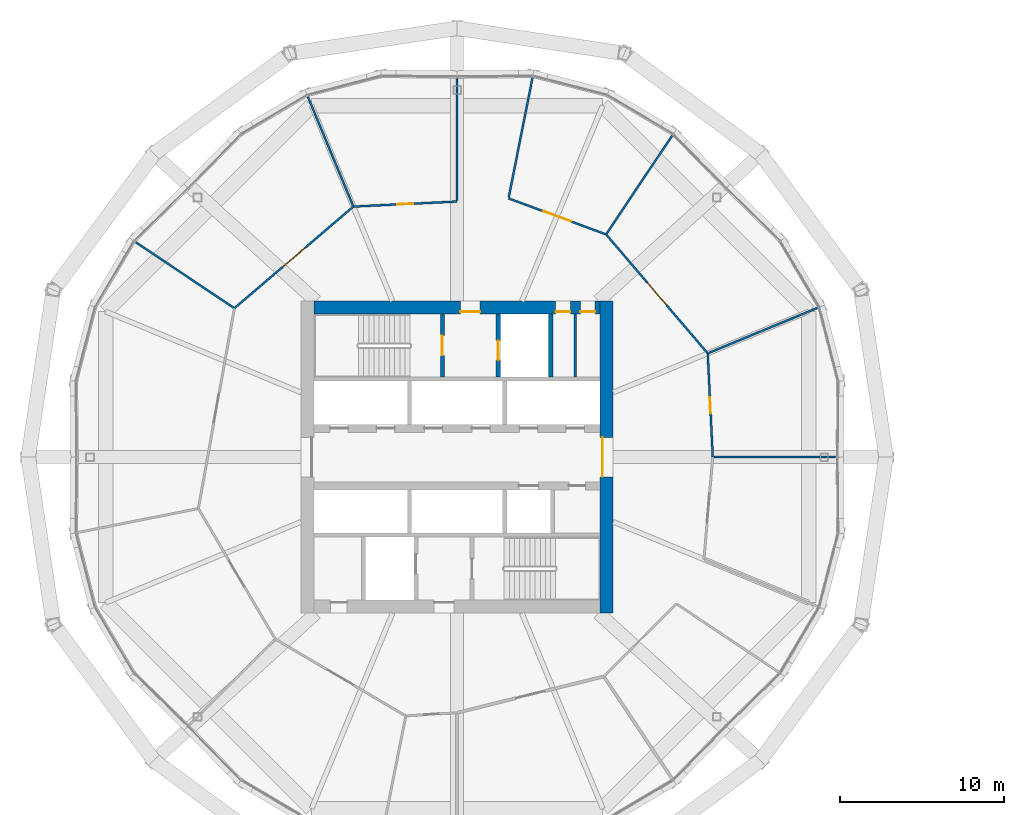
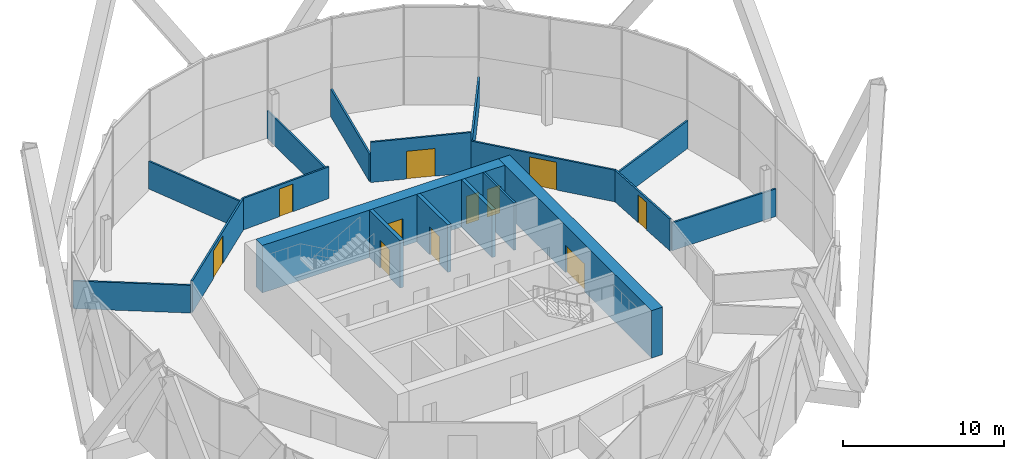
# One storey, part 23 of 28: 18 walls, 11 doors, 11 openings.
"""IFC4 building model written with IfcOpenShell, lengths in metres."""

from ifc_helpers import new_model, si_unit, direction, frame, frame_2d, origin, place, context, subcontext, project, spatial, rectangle, extrude, material, layer, layer_set, type_object, element, fill, save


model = new_model("IFC4")

# Units and contexts
model_context = context("Model", 3, precision=1e-05, world=origin(), true_north=direction((0.0, 1.0)))
body_context = subcontext(model_context, "Body", "Model", "MODEL_VIEW")
ifc_project = project(units=[si_unit("LENGTHUNIT", "METRE"), si_unit("AREAUNIT", "SQUARE_METRE"), si_unit("VOLUMEUNIT", "CUBIC_METRE"), si_unit("PLANEANGLEUNIT", "RADIAN"), si_unit("MASSUNIT", "GRAM", prefix="KILO")], contexts=[model_context])

# Site, building, storey
site_placement = place(None, origin())
site = spatial("IfcSite", under=ifc_project, at=site_placement, CompositionType="ELEMENT")
building_placement = place(site_placement, origin())
building = spatial("IfcBuilding", under=site, at=building_placement, Name="Ogive Gate Towers", CompositionType="ELEMENT")
storey_placement = place(building_placement, frame((0.0, 0.0, 115.199951171875)))
storey = spatial("IfcBuildingStorey", under=building, at=storey_placement, Name="L27", CompositionType="ELEMENT", Elevation=115.199951171875)

# Wall, openings, doors
ifc_material_1 = material(Name="Concrete C60/75", Category="concrete")
ifc_layer_1 = layer(ifc_material_1, 0.800048828125)
ifc_layer_set_1 = layer_set([ifc_layer_1], Name="Core wall 800 mm")
wall_type_1 = type_object("IfcWallType", Name="Core wall 800 mm", PredefinedType="SHEAR", material=ifc_layer_set_1)
wall_1_placement = place(storey_placement, frame((-44.699951171875, 9.10009765625, 0.0), z_axis=(0.0, 0.0, 1.0), x_axis=(1.0, 0.0, 0.0)))
wall_1 = element("IfcWall", 1, at=wall_1_placement, inside=storey, type_object=wall_type_1, Name="T1 L27 Core wall 800 mm", PredefinedType="SHEAR", context=body_context, shape_type="SweptSolid", body=[
    extrude(rectangle(XDim=17.39990234375, YDim=0.800048828125, at=frame_2d((8.699951171875, 0.0))), origin(), (0.0, 0.0, 1.0), 3.60009765625),
])
opening_1_placement = place(wall_1_placement, frame((8.89990234375, 0.0, 0.0)))
opening_1 = element("IfcOpeningElement", 2, at=opening_1_placement, cuts=wall_1, Name="Opening KD-T1-L27-15", PredefinedType="OPENING", context=body_context, shape_type="SweptSolid", body=[
    extrude(rectangle(XDim=1.199951171875, YDim=2.10009765625, at=frame_2d((0.60009765625, 1.050048828125))), frame((0.0, 0.41015625, 0.0), z_axis=(0.0, -1.0, 0.0), x_axis=(1.0, 0.0, 0.0)), (0.0, 0.0, 1.0), 0.820068359375),
])
opening_2_placement = place(wall_1_placement, frame((14.699951171875, 0.0, 0.0)))
opening_2 = element("IfcOpeningElement", 3, at=opening_2_placement, cuts=wall_1, Name="Opening KD-T1-L27-17", PredefinedType="OPENING", context=body_context, shape_type="SweptSolid", body=[
    extrude(rectangle(XDim=0.89990234375, YDim=2.10009765625, at=frame_2d((0.449951171875, 1.050048828125))), frame((0.0, 0.41015625, 0.0), z_axis=(0.0, -1.0, 0.0), x_axis=(1.0, 0.0, 0.0)), (0.0, 0.0, 1.0), 0.820068359375),
])
opening_3_placement = place(wall_1_placement, frame((16.199951171875, 0.0, 0.0)))
opening_3 = element("IfcOpeningElement", 4, at=opening_3_placement, cuts=wall_1, Name="Opening KD-T1-L27-18", PredefinedType="OPENING", context=body_context, shape_type="SweptSolid", body=[
    extrude(rectangle(XDim=0.89990234375, YDim=2.10009765625, at=frame_2d((0.449951171875, 1.050048828125))), frame((0.0, 0.41015625, 0.0), z_axis=(0.0, -1.0, 0.0), x_axis=(1.0, 0.0, 0.0)), (0.0, 0.0, 1.0), 0.820068359375),
])
ifc_material_2 = material(Name="Timber door", Category="wood")
door_type_1 = type_object("IfcDoorType", Name="Core WC door 900 x 2100", OperationType="NOTDEFINED", PredefinedType="DOOR", material=ifc_material_2)
door_1_placement = place(opening_2_placement, origin())
door_1 = element("IfcDoor", 5, at=door_1_placement, inside=storey, type_object=door_type_1, Name="T1 L27 Core door", OperationType="SINGLE_SWING_RIGHT", OverallHeight=2.10009765625, OverallWidth=0.89990234375, PredefinedType="DOOR", context=body_context, shape_type="SweptSolid", body=[
    extrude(rectangle(XDim=0.89990234375, YDim=2.10009765625, at=frame_2d((0.449951171875, 1.050048828125))), frame((0.0, -0.22509765625, 0.0), z_axis=(0.0, -1.0, 0.0), x_axis=(1.0, 0.0, 0.0)), (0.0, 0.0, 1.0), 0.050048828125),
])
fill(opening_2, door_1)
door_2_placement = place(opening_3_placement, origin())
door_2 = element("IfcDoor", 6, at=door_2_placement, inside=storey, type_object=door_type_1, Name="T1 L27 Core door", OperationType="SINGLE_SWING_LEFT", OverallHeight=2.10009765625, OverallWidth=0.89990234375, PredefinedType="DOOR", context=body_context, shape_type="SweptSolid", body=[
    extrude(rectangle(XDim=0.89990234375, YDim=2.10009765625, at=frame_2d((0.449951171875, 1.050048828125))), frame((0.0, -0.22509765625, 0.0), z_axis=(0.0, -1.0, 0.0), x_axis=(1.0, 0.0, 0.0)), (0.0, 0.0, 1.0), 0.050048828125),
])
fill(opening_3, door_2)
ifc_material_3 = material(Name="Steel fire door", Category="steel")
door_type_2 = type_object("IfcDoorType", Name="Core door FD60S 1200 x 2100", OperationType="NOTDEFINED", PredefinedType="DOOR", material=ifc_material_3)
door_3_placement = place(opening_1_placement, origin())
door_3 = element("IfcDoor", 7, at=door_3_placement, inside=storey, type_object=door_type_2, Name="T1 L27 Fire-fighting lobby door", OperationType="SINGLE_SWING_RIGHT", OverallHeight=2.10009765625, OverallWidth=1.199951171875, PredefinedType="DOOR", context=body_context, shape_type="SweptSolid", body=[
    extrude(rectangle(XDim=1.199951171875, YDim=2.10009765625, at=frame_2d((0.60009765625, 1.050048828125))), frame((0.0, -0.22509765625, 0.0), z_axis=(0.0, -1.0, 0.0), x_axis=(1.0, 0.0, 0.0)), (0.0, 0.0, 1.0), 0.050048828125),
])
fill(opening_1, door_3)

# Wall, opening, door
wall_2_placement = place(storey_placement, frame((-26.89990234375, -9.5, 0.0), z_axis=(0.0, 0.0, 1.0), x_axis=(0.0, 1.0, 0.0)))
wall_2 = element("IfcWall", 8, at=wall_2_placement, inside=storey, type_object=wall_type_1, Name="T1 L27 Core wall 800 mm", PredefinedType="SHEAR", context=body_context, shape_type="SweptSolid", body=[
    extrude(rectangle(XDim=19.0, YDim=0.800048828125, at=frame_2d((9.5, 0.0))), origin(), (0.0, 0.0, 1.0), 3.60009765625),
])
opening_4_placement = place(wall_2_placement, frame((8.300048828125, 0.0, 0.0)))
opening_4 = element("IfcOpeningElement", 9, at=opening_4_placement, cuts=wall_2, Name="Opening KD-T1-L27-02", PredefinedType="OPENING", context=body_context, shape_type="SweptSolid", body=[
    extrude(rectangle(XDim=2.39990234375, YDim=2.10009765625, at=frame_2d((1.199951171875, 1.050048828125))), frame((0.0, 0.41015625, 0.0), z_axis=(0.0, -1.0, 0.0), x_axis=(1.0, 0.0, 0.0)), (0.0, 0.0, 1.0), 0.820068359375),
])
door_type_3 = type_object("IfcDoorType", Name="Core double door FD60S 2400 x 2100", OperationType="DOUBLE_DOOR_SINGLE_SWING", PredefinedType="DOOR", material=ifc_material_3)
door_4_placement = place(opening_4_placement, origin())
door_4 = element("IfcDoor", 10, at=door_4_placement, inside=storey, type_object=door_type_3, Name="T1 L27 Core door double", OperationType="DOUBLE_DOOR_SINGLE_SWING", OverallHeight=2.10009765625, OverallWidth=2.39990234375, PredefinedType="DOOR", context=body_context, shape_type="SweptSolid", body=[
    extrude(rectangle(XDim=2.39990234375, YDim=2.10009765625, at=frame_2d((1.199951171875, 1.050048828125))), frame((0.0, 0.27490234375, 0.0), z_axis=(0.0, -1.0, 0.0), x_axis=(1.0, 0.0, 0.0)), (0.0, 0.0, 1.0), 0.050048828125),
])
fill(opening_4, door_4)

# Walls
ifc_material_4 = material(Name="Gypsum board partition")
ifc_layer_2 = layer(ifc_material_4, 0.125)
ifc_layer_set_2 = layer_set([ifc_layer_2], Name="Partition 125")
wall_type_2 = type_object("IfcWallType", Name="Partition 125", PredefinedType="PARTITIONING", material=ifc_layer_set_2)
wall_3_placement = place(storey_placement, frame((-12.94091796875, 0.0, 0.0), z_axis=(0.0, 0.0, 1.0), x_axis=(-1.0, 0.0, 0.0)))
element("IfcWall", 11, at=wall_3_placement, inside=storey, type_object=wall_type_2, Name="Partition T1-L27-001", PredefinedType="PARTITIONING", context=body_context, shape_type="SweptSolid", body=[
    extrude(rectangle(XDim=7.4365234375, YDim=0.125, at=frame_2d((3.71826171875, 0.0))), origin(), (0.0, 0.0, 1.0), 2.10009765625),
])
wall_4_placement = place(storey_placement, frame((-13.97216796875, 9.124267578125, 0.0), z_axis=(0.0, 0.0, 1.0), x_axis=(-0.923869874564, -0.382706747879, 0.0)))
element("IfcWall", 12, at=wall_4_placement, inside=storey, type_object=wall_type_2, Name="Partition T1-L27-002", PredefinedType="PARTITIONING", context=body_context, shape_type="SweptSolid", body=[
    extrude(rectangle(XDim=7.269287109375, YDim=0.125, at=frame_2d((3.634765625, 0.0))), origin(), (0.0, 0.0, 1.0), 2.10009765625),
])
wall_5_placement = place(storey_placement, frame((-22.8330078125, 19.69189453125, 0.0), z_axis=(0.0, 0.0, 1.0), x_axis=(-0.555847227535, -0.831284463732, 0.0)))
element("IfcWall", 13, at=wall_5_placement, inside=storey, type_object=wall_type_2, Name="Partition T1-L27-003", PredefinedType="PARTITIONING", context=body_context, shape_type="SweptSolid", body=[
    extrude(rectangle(XDim=7.315185546875, YDim=0.125, at=frame_2d((3.65771484375, 0.0))), origin(), (0.0, 0.0, 1.0), 2.10009765625),
])
for number, where, z_axis, x_axis, name in (
    (14, (-31.4111328125, 23.1083984375, 0.0), (0.0, 0.0, 1.0), (-0.194777518337, -0.980847449072, 0.0), "Partition T1-L27-004"),
    (15, (-36.0, 23.05908203125, 0.0), (0.0, 0.0, 1.0), (0.0, -1.0, 0.0), "Partition T1-L27-005"),
):
    element("IfcWall", number, at=place(storey_placement, frame(where, z_axis=z_axis, x_axis=x_axis)), inside=storey, type_object=wall_type_2, Name=name, PredefinedType="PARTITIONING", context=body_context, shape_type="SweptSolid", body=[
        extrude(rectangle(XDim=7.4365234375, YDim=0.125, at=frame_2d((3.71826171875, 0.0))), origin(), (0.0, 0.0, 1.0), 2.10009765625),
    ])
wall_6_placement = place(storey_placement, frame((-45.124267578125, 22.02783203125, 0.0), z_axis=(0.0, 0.0, 1.0), x_axis=(0.382706747879, -0.923869874564, 0.0)))
element("IfcWall", 16, at=wall_6_placement, inside=storey, type_object=wall_type_2, Name="Partition T1-L27-006", PredefinedType="PARTITIONING", context=body_context, shape_type="SweptSolid", body=[
    extrude(rectangle(XDim=7.269287109375, YDim=0.125, at=frame_2d((3.634765625, 0.0))), origin(), (0.0, 0.0, 1.0), 2.10009765625),
])
wall_7_placement = place(storey_placement, frame((-55.69189453125, 13.1669921875, 0.0), z_axis=(0.0, 0.0, 1.0), x_axis=(0.831284463732, -0.555847227535, 0.0)))
element("IfcWall", 17, at=wall_7_placement, inside=storey, type_object=wall_type_2, Name="Partition T1-L27-007", PredefinedType="PARTITIONING", context=body_context, shape_type="SweptSolid", body=[
    extrude(rectangle(XDim=7.315185546875, YDim=0.125, at=frame_2d((3.65771484375, 0.0))), origin(), (0.0, 0.0, 1.0), 2.10009765625),
])

# Wall, opening, door
wall_8_placement = place(storey_placement, frame((-36.0, 15.56005859375, 0.0), z_axis=(0.0, 0.0, 1.0), x_axis=(-0.99883010361, -0.048357255122, 0.0)))
wall_8 = element("IfcWall", 18, at=wall_8_placement, inside=storey, type_object=wall_type_2, Name="Partition T1-L27-015", PredefinedType="PARTITIONING", context=body_context, shape_type="SweptSolid", body=[
    extrude(rectangle(XDim=6.325927734375, YDim=0.125, at=frame_2d((3.1630859375, 0.0))), origin(), (0.0, 0.0, 1.0), 2.400146484375),
])
opening_5_placement = place(wall_8_placement, frame((2.6630859375, 0.0, 0.0)))
opening_5 = element("IfcOpeningElement", 19, at=opening_5_placement, cuts=wall_8, Name="Opening T1-L27-D01", PredefinedType="OPENING", context=body_context, shape_type="SweptSolid", body=[
    extrude(rectangle(XDim=1.0, YDim=2.10009765625, at=frame_2d((0.5, 1.050048828125))), frame((0.0, 0.072509765625, 0.0), z_axis=(0.0, -1.0, 0.0), x_axis=(1.0, 0.0, 0.0)), (0.0, 0.0, 1.0), 0.14501953125),
])
door_type_4 = type_object("IfcDoorType", Name="Door 1000", OperationType="NOTDEFINED", PredefinedType="DOOR", material=ifc_material_2)
door_5_placement = place(opening_5_placement, origin())
door_5 = element("IfcDoor", 20, at=door_5_placement, inside=storey, type_object=door_type_4, Name="Door T1-L27-D01", OperationType="SINGLE_SWING_LEFT", OverallHeight=2.10009765625, OverallWidth=1.0, PredefinedType="DOOR", context=body_context, shape_type="SweptSolid", body=[
    extrude(rectangle(XDim=1.0, YDim=2.10009765625, at=frame_2d((0.5, 1.050048828125))), frame((0.0, 0.02490234375, 0.0), z_axis=(0.0, -1.0, 0.0), x_axis=(1.0, 0.0, 0.0)), (0.0, 0.0, 1.0), 0.050048828125),
])
fill(opening_5, door_5)

wall_9_placement = place(storey_placement, frame((-42.318603515625, 15.254150390625, 0.0), z_axis=(0.0, 0.0, 1.0), x_axis=(-0.760185869264, -0.649705659643, 0.0)))
wall_9 = element("IfcWall", 21, at=wall_9_placement, inside=storey, type_object=wall_type_2, Name="Partition T1-L27-016", PredefinedType="PARTITIONING", context=body_context, shape_type="SweptSolid", body=[
    extrude(rectangle(XDim=9.5244140625, YDim=0.125, at=frame_2d((4.76220703125, 0.0))), origin(), (0.0, 0.0, 1.0), 2.400146484375),
])
opening_6_placement = place(wall_9_placement, frame((3.862060546875, 0.0, 0.0)))
opening_6 = element("IfcOpeningElement", 22, at=opening_6_placement, cuts=wall_9, Name="Opening T1-L27-D02", PredefinedType="OPENING", context=body_context, shape_type="SweptSolid", body=[
    extrude(rectangle(XDim=1.800048828125, YDim=2.10009765625, at=frame_2d((0.89990234375, 1.050048828125))), frame((0.0, 0.072509765625, 0.0), z_axis=(0.0, -1.0, 0.0), x_axis=(1.0, 0.0, 0.0)), (0.0, 0.0, 1.0), 0.14501953125),
])
door_type_5 = type_object("IfcDoorType", Name="Door pair 1800", OperationType="NOTDEFINED", PredefinedType="DOOR", material=ifc_material_2)
door_6_placement = place(opening_6_placement, origin())
door_6 = element("IfcDoor", 23, at=door_6_placement, inside=storey, type_object=door_type_5, Name="Door T1-L27-D02", OperationType="DOUBLE_DOOR_DOUBLE_SWING", OverallHeight=2.10009765625, OverallWidth=1.800048828125, PredefinedType="DOOR", context=body_context, shape_type="SweptSolid", body=[
    extrude(rectangle(XDim=1.800048828125, YDim=2.10009765625, at=frame_2d((0.89990234375, 1.050048828125))), frame((0.0, 0.02490234375, 0.0), z_axis=(0.0, -1.0, 0.0), x_axis=(1.0, 0.0, 0.0)), (0.0, 0.0, 1.0), 0.050048828125),
])
fill(opening_6, door_6)

wall_10_placement = place(storey_placement, frame((-20.43994140625, 0.0, 0.0), z_axis=(0.0, 0.0, 1.0), x_axis=(-0.048357255122, 0.99883010361, 0.0)))
wall_10 = element("IfcWall", 24, at=wall_10_placement, inside=storey, type_object=wall_type_2, Name="Partition T1-L27-024", PredefinedType="PARTITIONING", context=body_context, shape_type="SweptSolid", body=[
    extrude(rectangle(XDim=6.325927734375, YDim=0.125, at=frame_2d((3.1630859375, 0.0))), origin(), (0.0, 0.0, 1.0), 2.400146484375),
])
opening_7_placement = place(wall_10_placement, frame((2.6630859375, 0.0, 0.0)))
opening_7 = element("IfcOpeningElement", 25, at=opening_7_placement, cuts=wall_10, Name="Opening T1-L27-D10", PredefinedType="OPENING", context=body_context, shape_type="SweptSolid", body=[
    extrude(rectangle(XDim=1.0, YDim=2.10009765625, at=frame_2d((0.5, 1.050048828125))), frame((0.0, 0.072509765625, 0.0), z_axis=(0.0, -1.0, 0.0), x_axis=(1.0, 0.0, 0.0)), (0.0, 0.0, 1.0), 0.14501953125),
])
door_7_placement = place(opening_7_placement, origin())
door_7 = element("IfcDoor", 26, at=door_7_placement, inside=storey, type_object=door_type_4, Name="Door T1-L27-D10", OperationType="SINGLE_SWING_LEFT", OverallHeight=2.10009765625, OverallWidth=1.0, PredefinedType="DOOR", context=body_context, shape_type="SweptSolid", body=[
    extrude(rectangle(XDim=1.0, YDim=2.10009765625, at=frame_2d((0.5, 1.050048828125))), frame((0.0, 0.02490234375, 0.0), z_axis=(0.0, -1.0, 0.0), x_axis=(1.0, 0.0, 0.0)), (0.0, 0.0, 1.0), 0.050048828125),
])
fill(opening_7, door_7)

wall_11_placement = place(storey_placement, frame((-20.745849609375, 6.318603515625, 0.0), z_axis=(0.0, 0.0, 1.0), x_axis=(-0.649705659643, 0.760185869264, 0.0)))
wall_11 = element("IfcWall", 27, at=wall_11_placement, inside=storey, type_object=wall_type_2, Name="Partition T1-L27-025", PredefinedType="PARTITIONING", context=body_context, shape_type="SweptSolid", body=[
    extrude(rectangle(XDim=9.5244140625, YDim=0.125, at=frame_2d((4.76220703125, 0.0))), origin(), (0.0, 0.0, 1.0), 2.400146484375),
])
opening_8_placement = place(wall_11_placement, frame((3.862060546875, 0.0, 0.0)))
opening_8 = element("IfcOpeningElement", 28, at=opening_8_placement, cuts=wall_11, Name="Opening T1-L27-D11", PredefinedType="OPENING", context=body_context, shape_type="SweptSolid", body=[
    extrude(rectangle(XDim=1.800048828125, YDim=2.10009765625, at=frame_2d((0.89990234375, 1.050048828125))), frame((0.0, 0.072509765625, 0.0), z_axis=(0.0, -1.0, 0.0), x_axis=(1.0, 0.0, 0.0)), (0.0, 0.0, 1.0), 0.14501953125),
])
door_8_placement = place(opening_8_placement, origin())
door_8 = element("IfcDoor", 29, at=door_8_placement, inside=storey, type_object=door_type_5, Name="Door T1-L27-D11", OperationType="DOUBLE_DOOR_DOUBLE_SWING", OverallHeight=2.10009765625, OverallWidth=1.800048828125, PredefinedType="DOOR", context=body_context, shape_type="SweptSolid", body=[
    extrude(rectangle(XDim=1.800048828125, YDim=2.10009765625, at=frame_2d((0.89990234375, 1.050048828125))), frame((0.0, 0.02490234375, 0.0), z_axis=(0.0, -1.0, 0.0), x_axis=(1.0, 0.0, 0.0)), (0.0, 0.0, 1.0), 0.050048828125),
])
fill(opening_8, door_8)

wall_12_placement = place(storey_placement, frame((-26.933837890625, 13.558837890625, 0.0), z_axis=(0.0, 0.0, 1.0), x_axis=(-0.938014125343, 0.34659702921, 0.0)))
wall_12 = element("IfcWall", 30, at=wall_12_placement, inside=storey, type_object=wall_type_2, Name="Partition T1-L27-026", PredefinedType="PARTITIONING", context=body_context, shape_type="SweptSolid", body=[
    extrude(rectangle(XDim=6.330322265625, YDim=0.125, at=frame_2d((3.1650390625, 0.0))), origin(), (0.0, 0.0, 1.0), 3.050048828125),
])
opening_9_placement = place(wall_12_placement, frame((2.264892578125, 0.0, 0.0)))
opening_9 = element("IfcOpeningElement", 31, at=opening_9_placement, cuts=wall_12, Name="Opening T1-L27-D12", PredefinedType="OPENING", context=body_context, shape_type="SweptSolid", body=[
    extrude(rectangle(XDim=1.800048828125, YDim=2.10009765625, at=frame_2d((0.89990234375, 1.050048828125))), frame((0.0, 0.072509765625, 0.0), z_axis=(0.0, -1.0, 0.0), x_axis=(1.0, 0.0, 0.0)), (0.0, 0.0, 1.0), 0.14501953125),
])
door_9_placement = place(opening_9_placement, origin())
door_9 = element("IfcDoor", 32, at=door_9_placement, inside=storey, type_object=door_type_5, Name="Door T1-L27-D12", OperationType="DOUBLE_DOOR_DOUBLE_SWING", OverallHeight=2.10009765625, OverallWidth=1.800048828125, PredefinedType="DOOR", context=body_context, shape_type="SweptSolid", body=[
    extrude(rectangle(XDim=1.800048828125, YDim=2.10009765625, at=frame_2d((0.89990234375, 1.050048828125))), frame((0.0, 0.02490234375, 0.0), z_axis=(0.0, -1.0, 0.0), x_axis=(1.0, 0.0, 0.0)), (0.0, 0.0, 1.0), 0.050048828125),
])
fill(opening_9, door_9)

# Wall
ifc_layer_3 = layer(ifc_material_4, 0.14990234375)
ifc_layer_set_3 = layer_set([ifc_layer_3], Name="Room partition 150 mm")
wall_type_3 = type_object("IfcWallType", Name="Room partition 150 mm", PredefinedType="PARTITIONING", material=ifc_layer_set_3)
wall_13_placement = place(storey_placement, frame((-28.800048828125, 4.875, 0.0), z_axis=(0.0, 0.0, 1.0), x_axis=(0.0, 1.0, 0.0)))
element("IfcWall", 33, at=wall_13_placement, inside=storey, type_object=wall_type_3, Name="T1 L27 Room partition 150 mm", PredefinedType="PARTITIONING", context=body_context, shape_type="SweptSolid", body=[
    extrude(rectangle(XDim=3.824951171875, YDim=0.14990234375, at=frame_2d((1.91259765625, 0.0))), origin(), (0.0, 0.0, 1.0), 3.60009765625),
])

# Wall, opening, door
ifc_layer_4 = layer(ifc_material_1, 0.25)
ifc_layer_set_4 = layer_set([ifc_layer_4], Name="Shaft wall 250 mm")
wall_type_4 = type_object("IfcWallType", Name="Shaft wall 250 mm", PredefinedType="SHEAR", material=ifc_layer_set_4)
wall_14_placement = place(storey_placement, frame((-36.89990234375, 4.875, 0.0), z_axis=(0.0, 0.0, 1.0), x_axis=(0.0, 1.0, 0.0)))
wall_14 = element("IfcWall", 34, at=wall_14_placement, inside=storey, type_object=wall_type_4, Name="T1 L27 Shaft wall 250 mm", PredefinedType="SHEAR", context=body_context, shape_type="SweptSolid", body=[
    extrude(rectangle(XDim=3.824951171875, YDim=0.25, at=frame_2d((1.91259765625, 0.0))), origin(), (0.0, 0.0, 1.0), 3.60009765625),
])
opening_10_placement = place(wall_14_placement, frame((1.324951171875, 0.0, 0.0)))
opening_10 = element("IfcOpeningElement", 35, at=opening_10_placement, cuts=wall_14, Name="Opening KD-T1-L27-13", PredefinedType="OPENING", context=body_context, shape_type="SweptSolid", body=[
    extrude(rectangle(XDim=1.199951171875, YDim=2.10009765625, at=frame_2d((0.60009765625, 1.050048828125))), frame((0.0, 0.135009765625, 0.0), z_axis=(0.0, -1.0, 0.0), x_axis=(1.0, 0.0, 0.0)), (0.0, 0.0, 1.0), 0.27001953125),
])
door_10_placement = place(opening_10_placement, origin())
door_10 = element("IfcDoor", 36, at=door_10_placement, inside=storey, type_object=door_type_2, Name="T1 L27 Stair door", OperationType="SINGLE_SWING_RIGHT", OverallHeight=2.10009765625, OverallWidth=1.199951171875, PredefinedType="DOOR", context=body_context, shape_type="SweptSolid", body=[
    extrude(rectangle(XDim=1.199951171875, YDim=2.10009765625, at=frame_2d((0.60009765625, 1.050048828125))), frame((0.0, 0.02490234375, 0.0), z_axis=(0.0, -1.0, 0.0), x_axis=(1.0, 0.0, 0.0)), (0.0, 0.0, 1.0), 0.050048828125),
])
fill(opening_10, door_10)

wall_15_placement = place(storey_placement, frame((-33.5, 4.875, 0.0), z_axis=(0.0, 0.0, 1.0), x_axis=(0.0, 1.0, 0.0)))
wall_15 = element("IfcWall", 37, at=wall_15_placement, inside=storey, type_object=wall_type_4, Name="T1 L27 Shaft wall 250 mm", PredefinedType="SHEAR", context=body_context, shape_type="SweptSolid", body=[
    extrude(rectangle(XDim=3.824951171875, YDim=0.25, at=frame_2d((1.91259765625, 0.0))), origin(), (0.0, 0.0, 1.0), 3.60009765625),
])
opening_11_placement = place(wall_15_placement, frame((1.02490234375, 0.0, 0.0)))
opening_11 = element("IfcOpeningElement", 38, at=opening_11_placement, cuts=wall_15, Name="Opening LD-T1-L27-10", PredefinedType="OPENING", context=body_context, shape_type="SweptSolid", body=[
    extrude(rectangle(XDim=1.199951171875, YDim=2.10009765625, at=frame_2d((0.60009765625, 1.050048828125))), frame((0.0, 0.135009765625, 0.0), z_axis=(0.0, -1.0, 0.0), x_axis=(1.0, 0.0, 0.0)), (0.0, 0.0, 1.0), 0.27001953125),
])
ifc_material_5 = material(Name="Stainless steel landing door", Category="steel")
door_type_6 = type_object("IfcDoorType", Name="Landing door 1200 x 2100", OperationType="SLIDING_TO_LEFT", PredefinedType="DOOR", material=ifc_material_5)
door_11_placement = place(opening_11_placement, origin())
door_11 = element("IfcDoor", 39, at=door_11_placement, inside=storey, type_object=door_type_6, Name="T1 L27 Lift landing door FF1", OperationType="SLIDING_TO_LEFT", OverallHeight=2.10009765625, OverallWidth=1.199951171875, PredefinedType="DOOR", context=body_context, shape_type="SweptSolid", body=[
    extrude(rectangle(XDim=1.199951171875, YDim=2.10009765625, at=frame_2d((0.60009765625, 1.050048828125))), frame((0.0, 0.02490234375, 0.0), z_axis=(0.0, -1.0, 0.0), x_axis=(1.0, 0.0, 0.0)), (0.0, 0.0, 1.0), 0.050048828125),
])
fill(opening_11, door_11)

# Wall
wall_16_placement = place(storey_placement, frame((-30.300048828125, 4.875, 0.0), z_axis=(0.0, 0.0, 1.0), x_axis=(0.0, 1.0, 0.0)))
element("IfcWall", 40, at=wall_16_placement, inside=storey, type_object=wall_type_4, Name="T1 L27 Shaft wall 250 mm", PredefinedType="SHEAR", context=body_context, shape_type="SweptSolid", body=[
    extrude(rectangle(XDim=3.824951171875, YDim=0.25, at=frame_2d((1.91259765625, 0.0))), origin(), (0.0, 0.0, 1.0), 3.60009765625),
])

save(model, "model.ifc")
